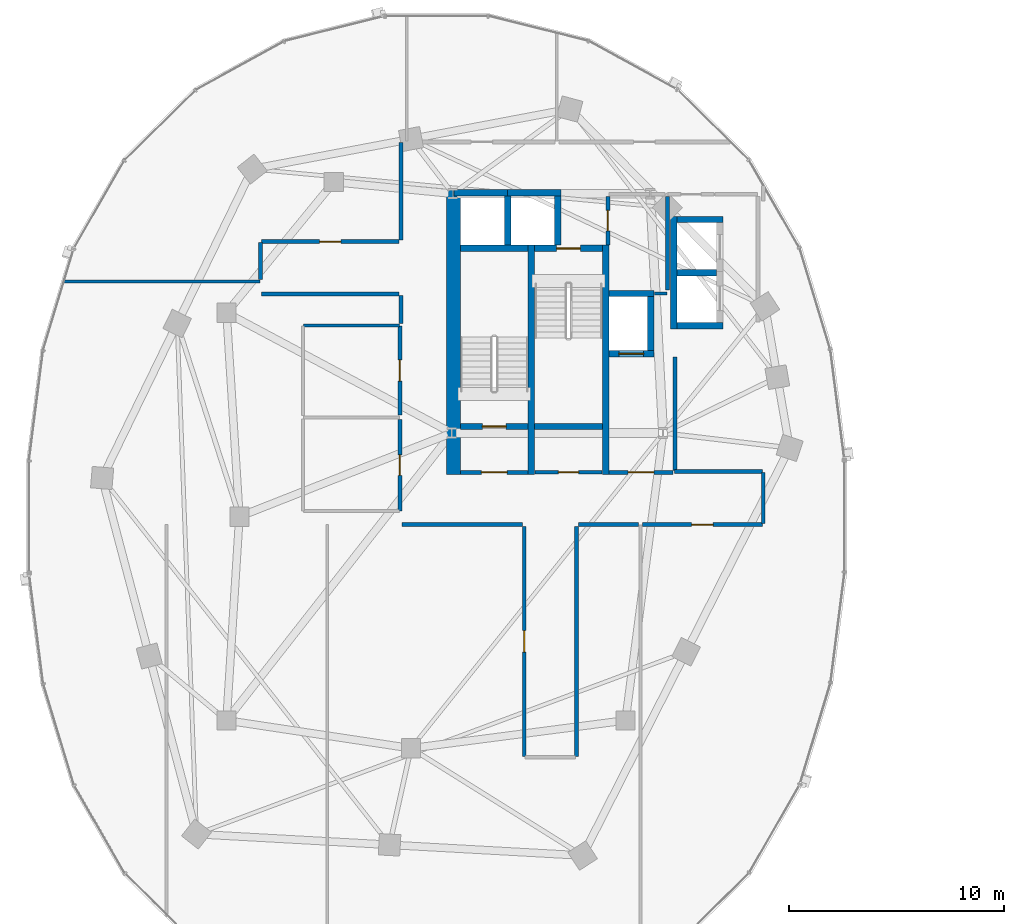
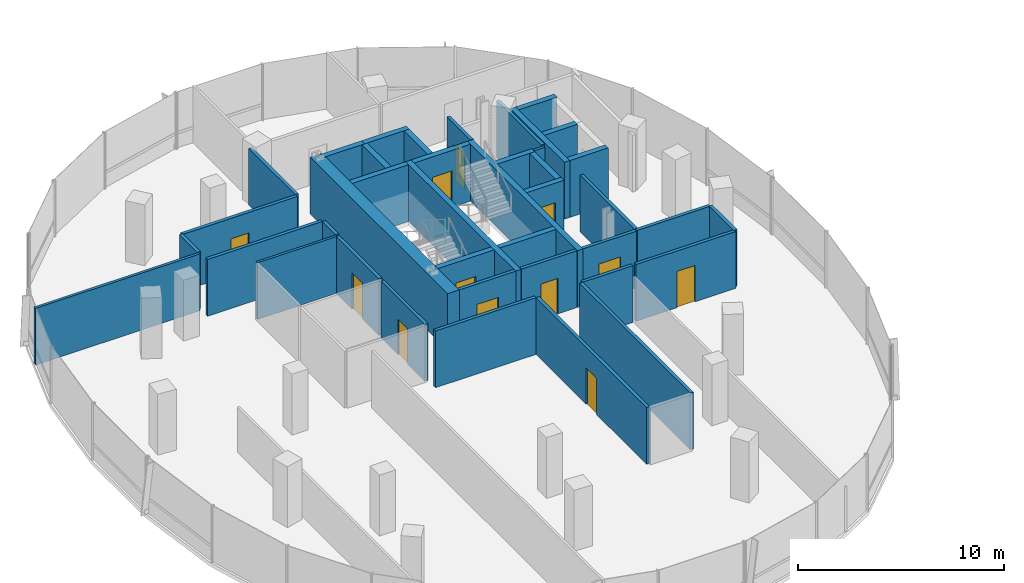
# One storey, part 12 of 22: 41 walls, 12 doors, 12 openings.
"""IFC4 building model written with IfcOpenShell, lengths in metres."""

from ifc_helpers import new_model, si_unit, direction, frame, frame_2d, origin, place, context, subcontext, project, spatial, rectangle, extrude, material, layer, layer_set, type_object, element, fill, save


model = new_model("IFC4")

# Units and contexts
model_context = context("Model", 3, precision=1e-05, world=origin(), true_north=direction((0.0, 1.0)))
body_context = subcontext(model_context, "Body", "Model", "MODEL_VIEW")
ifc_project = project(units=[si_unit("LENGTHUNIT", "METRE"), si_unit("AREAUNIT", "SQUARE_METRE"), si_unit("VOLUMEUNIT", "CUBIC_METRE"), si_unit("PLANEANGLEUNIT", "RADIAN"), si_unit("MASSUNIT", "GRAM", prefix="KILO"), si_unit("THERMODYNAMICTEMPERATUREUNIT", "KELVIN"), si_unit("POWERUNIT", "WATT")], contexts=[model_context])

# Site, building, storey
site_placement = place(None, origin())
site = spatial("IfcSite", under=ifc_project, at=site_placement, CompositionType="ELEMENT")
building_placement = place(site_placement, origin())
building = spatial("IfcBuilding", under=site, at=building_placement, Name="Cundina Bronze Exchange", CompositionType="ELEMENT")
storey_placement = place(building_placement, frame((0.0, 0.0, 144.0)))
storey = spatial("IfcBuildingStorey", under=building, at=storey_placement, Name="L37", CompositionType="ELEMENT", Elevation=144.0)

# Wall
ifc_material_1 = material(Name="Gypsum Fireboard Partition EI120")
ifc_layer_1 = layer(ifc_material_1, 0.179931640625, Name="Gypsum Fireboard Partition EI120")
ifc_layer_set_1 = layer_set([ifc_layer_1], Name="Gypsum Fireboard Partition EI120")
wall_type_1 = type_object("IfcWallType", Name="WL-COR-180", PredefinedType="PARTITIONING", material=ifc_layer_set_1)
wall_1_placement = place(storey_placement, frame((-20.889892578125, 2.14990234375, 0.0), z_axis=(0.0, 0.0, 1.0), x_axis=(0.0, 1.0, 0.0)))
element("IfcWall", 1, at=wall_1_placement, inside=storey, type_object=wall_type_1, Name="L37 W Firefighting Lobby Side Wall", PredefinedType="PARTITIONING", context=body_context, shape_type="SweptSolid", body=[
    extrude(rectangle(XDim=5.300048828125, YDim=0.179931640625, at=frame_2d((2.64990234375, 0.0))), origin(), (0.0, 0.0, 1.0), 3.360107421875),
])

# Wall, opening, door
wall_2_placement = place(storey_placement, frame((-23.97998046875, 2.06005859375, 0.0), z_axis=(0.0, 0.0, 1.0), x_axis=(1.0, 0.0, 0.0)))
wall_2 = element("IfcWall", 2, at=wall_2_placement, inside=storey, type_object=wall_type_1, Name="L37 W Firefighting Lobby Exit Wall", PredefinedType="PARTITIONING", context=body_context, shape_type="SweptSolid", body=[
    extrude(rectangle(XDim=3.0, YDim=0.179931640625, at=frame_2d((1.5, 0.0))), origin(), (0.0, 0.0, 1.0), 3.360107421875),
])
opening_1_placement = place(wall_2_placement, frame((0.89990234375, 0.0, 0.0)))
opening_1 = element("IfcOpeningElement", 3, at=opening_1_placement, cuts=wall_2, Name="Opening DF-01", PredefinedType="OPENING", context=body_context, shape_type="SweptSolid", body=[
    extrude(rectangle(XDim=1.199951171875, YDim=2.14990234375, at=frame_2d((0.60009765625, 1.074951171875))), frame((0.0, 0.099853515625, 0.0), z_axis=(0.0, -1.0, 0.0), x_axis=(1.0, 0.0, 0.0)), (0.0, 0.0, 1.0), 0.199951171875),
])
ifc_material_2 = material(Name="Steel ASTM A36 Painted", Category="steel")
door_type_1 = type_object("IfcDoorType", Name="DR-FFL-1200", OperationType="NOTDEFINED", PredefinedType="DOOR", material=ifc_material_2)
door_1_placement = place(opening_1_placement, origin())
door_1 = element("IfcDoor", 4, at=door_1_placement, inside=storey, type_object=door_type_1, Name="L37 W Firefighting Lobby Door", OperationType="SINGLE_SWING_RIGHT", OverallHeight=2.14990234375, OverallWidth=1.199951171875, PredefinedType="DOOR", context=body_context, shape_type="SweptSolid", body=[
    extrude(rectangle(XDim=1.199951171875, YDim=2.14990234375, at=frame_2d((0.60009765625, 1.074951171875))), frame((0.0, 0.02490234375, 0.0), z_axis=(0.0, -1.0, 0.0), x_axis=(1.0, 0.0, 0.0)), (0.0, 0.0, 1.0), 0.050048828125),
])
fill(opening_1, door_1)

wall_3_placement = place(storey_placement, frame((-30.89990234375, 2.06005859375, 0.0), z_axis=(0.0, 0.0, 1.0), x_axis=(1.0, 0.0, 0.0)))
wall_3 = element("IfcWall", 5, at=wall_3_placement, inside=storey, type_object=wall_type_1, Name="L37 W Stair Vestibule Exit Wall", PredefinedType="PARTITIONING", context=body_context, shape_type="SweptSolid", body=[
    extrude(rectangle(XDim=3.159912109375, YDim=0.179931640625, at=frame_2d((1.580078125, 0.0))), origin(), (0.0, 0.0, 1.0), 3.360107421875),
])
opening_2_placement = place(wall_3_placement, frame((0.97998046875, 0.0, 0.0)))
opening_2 = element("IfcOpeningElement", 6, at=opening_2_placement, cuts=wall_3, Name="Opening DF-01", PredefinedType="OPENING", context=body_context, shape_type="SweptSolid", body=[
    extrude(rectangle(XDim=1.199951171875, YDim=2.14990234375, at=frame_2d((0.60009765625, 1.074951171875))), frame((0.0, 0.099853515625, 0.0), z_axis=(0.0, -1.0, 0.0), x_axis=(1.0, 0.0, 0.0)), (0.0, 0.0, 1.0), 0.199951171875),
])
door_2_placement = place(opening_2_placement, origin())
door_2 = element("IfcDoor", 7, at=door_2_placement, inside=storey, type_object=door_type_1, Name="L37 W Stair Vestibule Door", OperationType="SINGLE_SWING_LEFT", OverallHeight=2.14990234375, OverallWidth=1.199951171875, PredefinedType="DOOR", context=body_context, shape_type="SweptSolid", body=[
    extrude(rectangle(XDim=1.199951171875, YDim=2.14990234375, at=frame_2d((0.60009765625, 1.074951171875))), frame((0.0, 0.02490234375, 0.0), z_axis=(0.0, -1.0, 0.0), x_axis=(1.0, 0.0, 0.0)), (0.0, 0.0, 1.0), 0.050048828125),
])
fill(opening_2, door_2)

# Wall
wall_4_placement = place(storey_placement, frame((-21.25, 10.570068359375, 0.0), z_axis=(0.0, 0.0, 1.0), x_axis=(0.0, 1.0, 0.0)))
element("IfcWall", 8, at=wall_4_placement, inside=storey, type_object=wall_type_1, Name="L37 Interior Partition 005", PredefinedType="PARTITIONING", context=body_context, shape_type="SweptSolid", body=[
    extrude(rectangle(XDim=4.35986328125, YDim=0.179931640625, at=frame_2d((2.179931640625, 0.0))), origin(), (0.0, 0.0, 1.0), 3.360107421875),
])

# Wall, opening, door
wall_5_placement = place(storey_placement, frame((-27.419921875, 2.070068359375, 0.0), z_axis=(0.0, 0.0, 1.0), x_axis=(1.0, 0.0, 0.0)))
wall_5 = element("IfcWall", 9, at=wall_5_placement, inside=storey, type_object=wall_type_1, Name="L37 Interior Partition 007", PredefinedType="PARTITIONING", context=body_context, shape_type="SweptSolid", body=[
    extrude(rectangle(XDim=3.119873046875, YDim=0.179931640625, at=frame_2d((1.56005859375, 0.0))), origin(), (0.0, 0.0, 1.0), 3.360107421875),
])
opening_3_placement = place(wall_5_placement, frame((1.0849609375, 0.0, 0.0)))
opening_3 = element("IfcOpeningElement", 10, at=opening_3_placement, cuts=wall_5, Name="Opening DW-01", PredefinedType="OPENING", context=body_context, shape_type="SweptSolid", body=[
    extrude(rectangle(XDim=0.949951171875, YDim=2.10009765625, at=frame_2d((0.47509765625, 1.050048828125))), frame((0.0, 0.099853515625, 0.0), z_axis=(0.0, -1.0, 0.0), x_axis=(1.0, 0.0, 0.0)), (0.0, 0.0, 1.0), 0.199951171875),
])
ifc_material_3 = material(Name="Solid Andean Oak Timber Grade A", Category="wood")
door_type_2 = type_object("IfcDoorType", Name="DR-WC-950", OperationType="NOTDEFINED", PredefinedType="DOOR", material=ifc_material_3)
door_3_placement = place(opening_3_placement, origin())
door_3 = element("IfcDoor", 11, at=door_3_placement, inside=storey, type_object=door_type_2, Name="L37 Interior Door 007", OperationType="SINGLE_SWING_RIGHT", OverallHeight=2.10009765625, OverallWidth=0.949951171875, PredefinedType="DOOR", context=body_context, shape_type="SweptSolid", body=[
    extrude(rectangle(XDim=0.949951171875, YDim=2.10009765625, at=frame_2d((0.47509765625, 1.050048828125))), frame((0.0, 0.02490234375, 0.0), z_axis=(0.0, -1.0, 0.0), x_axis=(1.0, 0.0, 0.0)), (0.0, 0.0, 1.0), 0.050048828125),
])
fill(opening_3, door_3)

wall_6_placement = place(storey_placement, frame((-24.02001953125, 12.669921875, 0.0), z_axis=(0.0, 0.0, 1.0), x_axis=(0.0, 1.0, 0.0)))
wall_6 = element("IfcWall", 12, at=wall_6_placement, inside=storey, type_object=wall_type_1, Name="L37 Interior Partition 008", PredefinedType="PARTITIONING", context=body_context, shape_type="SweptSolid", body=[
    extrude(rectangle(XDim=2.260009765625, YDim=0.179931640625, at=frame_2d((1.1298828125, 0.0))), origin(), (0.0, 0.0, 1.0), 3.360107421875),
])
opening_4_placement = place(wall_6_placement, frame((0.655029296875, 0.0, 0.0)))
opening_4 = element("IfcOpeningElement", 13, at=opening_4_placement, cuts=wall_6, Name="Opening DW-01", PredefinedType="OPENING", context=body_context, shape_type="SweptSolid", body=[
    extrude(rectangle(XDim=0.949951171875, YDim=2.10009765625, at=frame_2d((0.47509765625, 1.050048828125))), frame((0.0, 0.099853515625, 0.0), z_axis=(0.0, -1.0, 0.0), x_axis=(1.0, 0.0, 0.0)), (0.0, 0.0, 1.0), 0.199951171875),
])
door_4_placement = place(opening_4_placement, origin())
door_4 = element("IfcDoor", 14, at=door_4_placement, inside=storey, type_object=door_type_2, Name="L37 Interior Door 008", OperationType="SINGLE_SWING_RIGHT", OverallHeight=2.10009765625, OverallWidth=0.949951171875, PredefinedType="DOOR", context=body_context, shape_type="SweptSolid", body=[
    extrude(rectangle(XDim=0.949951171875, YDim=2.10009765625, at=frame_2d((0.47509765625, 1.050048828125))), frame((0.0, 0.02490234375, 0.0), z_axis=(0.0, -1.0, 0.0), x_axis=(1.0, 0.0, 0.0)), (0.0, 0.0, 1.0), 0.050048828125),
])
fill(opening_4, door_4)

wall_7_placement = place(storey_placement, frame((-33.719970703125, 0.27001953125, 0.0), z_axis=(0.0, 0.0, 1.0), x_axis=(0.0, 1.0, 0.0)))
wall_7 = element("IfcWall", 15, at=wall_7_placement, inside=storey, type_object=wall_type_1, Name="L37 Interior Partition 014", PredefinedType="PARTITIONING", context=body_context, shape_type="SweptSolid", body=[
    extrude(rectangle(XDim=4.260009765625, YDim=0.179931640625, at=frame_2d((2.1298828125, 0.0))), origin(), (0.0, 0.0, 1.0), 3.360107421875),
])
opening_5_placement = place(wall_7_placement, frame((1.655029296875, 0.0, 0.0)))
opening_5 = element("IfcOpeningElement", 16, at=opening_5_placement, cuts=wall_7, Name="Opening DW-01", PredefinedType="OPENING", context=body_context, shape_type="SweptSolid", body=[
    extrude(rectangle(XDim=0.949951171875, YDim=2.10009765625, at=frame_2d((0.47509765625, 1.050048828125))), frame((0.0, 0.099853515625, 0.0), z_axis=(0.0, -1.0, 0.0), x_axis=(1.0, 0.0, 0.0)), (0.0, 0.0, 1.0), 0.199951171875),
])
door_5_placement = place(opening_5_placement, origin())
door_5 = element("IfcDoor", 17, at=door_5_placement, inside=storey, type_object=door_type_2, Name="L37 Interior Door 014", OperationType="SINGLE_SWING_LEFT", OverallHeight=2.10009765625, OverallWidth=0.949951171875, PredefinedType="DOOR", context=body_context, shape_type="SweptSolid", body=[
    extrude(rectangle(XDim=0.949951171875, YDim=2.10009765625, at=frame_2d((0.47509765625, 1.050048828125))), frame((0.0, 0.02490234375, 0.0), z_axis=(0.0, -1.0, 0.0), x_axis=(1.0, 0.0, 0.0)), (0.0, 0.0, 1.0), 0.050048828125),
])
fill(opening_5, door_5)

wall_8_placement = place(storey_placement, frame((-33.719970703125, 4.72998046875, 0.0), z_axis=(0.0, 0.0, 1.0), x_axis=(0.0, 1.0, 0.0)))
wall_8 = element("IfcWall", 18, at=wall_8_placement, inside=storey, type_object=wall_type_1, Name="L37 Interior Partition 015", PredefinedType="PARTITIONING", context=body_context, shape_type="SweptSolid", body=[
    extrude(rectangle(XDim=4.159912109375, YDim=0.179931640625, at=frame_2d((2.080078125, 0.0))), origin(), (0.0, 0.0, 1.0), 3.360107421875),
])
opening_6_placement = place(wall_8_placement, frame((1.580078125, 0.0, 0.0)))
opening_6 = element("IfcOpeningElement", 19, at=opening_6_placement, cuts=wall_8, Name="Opening DO-01", PredefinedType="OPENING", context=body_context, shape_type="SweptSolid", body=[
    extrude(rectangle(XDim=1.0, YDim=2.14990234375, at=frame_2d((0.5, 1.074951171875))), frame((0.0, 0.099853515625, 0.0), z_axis=(0.0, -1.0, 0.0), x_axis=(1.0, 0.0, 0.0)), (0.0, 0.0, 1.0), 0.199951171875),
])
door_type_3 = type_object("IfcDoorType", Name="DR-OFF-1000", OperationType="NOTDEFINED", PredefinedType="DOOR", material=ifc_material_3)
door_6_placement = place(opening_6_placement, origin())
door_6 = element("IfcDoor", 20, at=door_6_placement, inside=storey, type_object=door_type_3, Name="L37 Interior Door 015", OperationType="SINGLE_SWING_LEFT", OverallHeight=2.14990234375, OverallWidth=1.0, PredefinedType="DOOR", context=body_context, shape_type="SweptSolid", body=[
    extrude(rectangle(XDim=1.0, YDim=2.14990234375, at=frame_2d((0.5, 1.074951171875))), frame((0.0, 0.02490234375, 0.0), z_axis=(0.0, -1.0, 0.0), x_axis=(1.0, 0.0, 0.0)), (0.0, 0.0, 1.0), 0.050048828125),
])
fill(opening_6, door_6)

wall_9_placement = place(storey_placement, frame((-27.919921875, -0.449951171875, 0.0), z_axis=(0.0, 0.0, 1.0), x_axis=(0.0, -1.0, 0.0)))
wall_9 = element("IfcWall", 21, at=wall_9_placement, inside=storey, type_object=wall_type_1, Name="L37 Interior Partition 022", PredefinedType="PARTITIONING", context=body_context, shape_type="SweptSolid", body=[
    extrude(rectangle(XDim=10.728515625, YDim=0.179931640625, at=frame_2d((5.3642578125, 0.0))), origin(), (0.0, 0.0, 1.0), 3.360107421875),
])
opening_7_placement = place(wall_9_placement, frame((4.8642578125, 0.0, 0.0)))
opening_7 = element("IfcOpeningElement", 22, at=opening_7_placement, cuts=wall_9, Name="Opening DO-01", PredefinedType="OPENING", context=body_context, shape_type="SweptSolid", body=[
    extrude(rectangle(XDim=1.0, YDim=2.14990234375, at=frame_2d((0.5, 1.074951171875))), frame((0.0, 0.099853515625, 0.0), z_axis=(0.0, -1.0, 0.0), x_axis=(1.0, 0.0, 0.0)), (0.0, 0.0, 1.0), 0.199951171875),
])
door_7_placement = place(opening_7_placement, origin())
door_7 = element("IfcDoor", 23, at=door_7_placement, inside=storey, type_object=door_type_3, Name="L37 Interior Door 022", OperationType="SINGLE_SWING_RIGHT", OverallHeight=2.14990234375, OverallWidth=1.0, PredefinedType="DOOR", context=body_context, shape_type="SweptSolid", body=[
    extrude(rectangle(XDim=1.0, YDim=2.14990234375, at=frame_2d((0.5, 1.074951171875))), frame((0.0, 0.02490234375, 0.0), z_axis=(0.0, -1.0, 0.0), x_axis=(1.0, 0.0, 0.0)), (0.0, 0.0, 1.0), 0.050048828125),
])
fill(opening_7, door_7)

# Walls
wall_10_placement = place(storey_placement, frame((-25.47998046875, -11.178466796875, 0.0), z_axis=(0.0, 0.0, 1.0), x_axis=(0.0, 1.0, 0.0)))
element("IfcWall", 24, at=wall_10_placement, inside=storey, type_object=wall_type_1, Name="L37 Interior Partition 023", PredefinedType="PARTITIONING", context=body_context, shape_type="SweptSolid", body=[
    extrude(rectangle(XDim=10.728515625, YDim=0.179931640625, at=frame_2d((5.3642578125, 0.0))), origin(), (0.0, 0.0, 1.0), 3.360107421875),
])
wall_11_placement = place(storey_placement, frame((-40.178466796875, 10.3798828125, 0.0), z_axis=(0.0, 0.0, 1.0), x_axis=(1.0, 0.0, 0.0)))
element("IfcWall", 25, at=wall_11_placement, inside=storey, type_object=wall_type_1, Name="L37 Interior Partition 024", PredefinedType="PARTITIONING", context=body_context, shape_type="SweptSolid", body=[
    extrude(rectangle(XDim=6.428466796875, YDim=0.179931640625, at=frame_2d((3.21435546875, 0.0))), origin(), (0.0, 0.0, 1.0), 3.360107421875),
])
wall_12_placement = place(storey_placement, frame((-33.62841796875, -0.3701171875, 0.0), z_axis=(0.0, 0.0, 1.0), x_axis=(1.0, 0.0, 0.0)))
element("IfcWall", 26, at=wall_12_placement, inside=storey, type_object=wall_type_1, Name="L37 Interior Partition 025", PredefinedType="PARTITIONING", context=body_context, shape_type="SweptSolid", body=[
    extrude(rectangle(XDim=5.62841796875, YDim=0.179931640625, at=frame_2d((2.814208984375, 0.0))), origin(), (0.0, 0.0, 1.0), 3.360107421875),
])
wall_13_placement = place(storey_placement, frame((-25.39990234375, -0.3701171875, 0.0), z_axis=(0.0, 0.0, 1.0), x_axis=(1.0, 0.0, 0.0)))
element("IfcWall", 27, at=wall_13_placement, inside=storey, type_object=wall_type_1, Name="L37 Interior Partition 026", PredefinedType="PARTITIONING", context=body_context, shape_type="SweptSolid", body=[
    extrude(rectangle(XDim=2.809814453125, YDim=0.179931640625, at=frame_2d((1.40478515625, 0.0))), origin(), (0.0, 0.0, 1.0), 3.360107421875),
])
wall_14_placement = place(storey_placement, frame((-33.669921875, 10.300048828125, 0.0), z_axis=(0.0, 0.0, 1.0), x_axis=(0.0, -1.0, 0.0)))
element("IfcWall", 28, at=wall_14_placement, inside=storey, type_object=wall_type_1, Name="L37 Interior Partition 028", PredefinedType="PARTITIONING", context=body_context, shape_type="SweptSolid", body=[
    extrude(rectangle(XDim=1.298583984375, YDim=0.179931640625, at=frame_2d((0.6494140625, 0.0))), origin(), (0.0, 0.0, 1.0), 3.360107421875),
])

# Wall, opening, door
wall_15_placement = place(storey_placement, frame((-22.409912109375, -0.3701171875, 0.0), z_axis=(0.0, 0.0, 1.0), x_axis=(1.0, 0.0, 0.0)))
wall_15 = element("IfcWall", 29, at=wall_15_placement, inside=storey, type_object=wall_type_1, Name="L37 Interior Partition 029", PredefinedType="PARTITIONING", context=body_context, shape_type="SweptSolid", body=[
    extrude(rectangle(XDim=5.58837890625, YDim=0.179931640625, at=frame_2d((2.794189453125, 0.0))), origin(), (0.0, 0.0, 1.0), 3.360107421875),
])
opening_8_placement = place(wall_15_placement, frame((2.294189453125, 0.0, 0.0)))
opening_8 = element("IfcOpeningElement", 30, at=opening_8_placement, cuts=wall_15, Name="Opening DO-01", PredefinedType="OPENING", context=body_context, shape_type="SweptSolid", body=[
    extrude(rectangle(XDim=1.0, YDim=2.14990234375, at=frame_2d((0.5, 1.074951171875))), frame((0.0, 0.099853515625, 0.0), z_axis=(0.0, -1.0, 0.0), x_axis=(1.0, 0.0, 0.0)), (0.0, 0.0, 1.0), 0.199951171875),
])
door_8_placement = place(opening_8_placement, origin())
door_8 = element("IfcDoor", 31, at=door_8_placement, inside=storey, type_object=door_type_3, Name="L37 Interior Door 029", OperationType="SINGLE_SWING_RIGHT", OverallHeight=2.14990234375, OverallWidth=1.0, PredefinedType="DOOR", context=body_context, shape_type="SweptSolid", body=[
    extrude(rectangle(XDim=1.0, YDim=2.14990234375, at=frame_2d((0.5, 1.074951171875))), frame((0.0, 0.02490234375, 0.0), z_axis=(0.0, -1.0, 0.0), x_axis=(1.0, 0.0, 0.0)), (0.0, 0.0, 1.0), 0.050048828125),
])
fill(opening_8, door_8)

# Walls
wall_16_placement = place(storey_placement, frame((-16.821533203125, 2.10009765625, 0.0), z_axis=(0.0, 0.0, 1.0), x_axis=(-1.0, 0.0, 0.0)))
element("IfcWall", 32, at=wall_16_placement, inside=storey, type_object=wall_type_1, Name="L37 Interior Partition 030", PredefinedType="PARTITIONING", context=body_context, shape_type="SweptSolid", body=[
    extrude(rectangle(XDim=4.098388671875, YDim=0.179931640625, at=frame_2d((2.04931640625, 0.0))), origin(), (0.0, 0.0, 1.0), 3.360107421875),
])
wall_17_placement = place(storey_placement, frame((-16.780029296875, -0.32861328125, 0.0), z_axis=(0.0, 0.0, 1.0), x_axis=(0.0, 1.0, 0.0)))
element("IfcWall", 33, at=wall_17_placement, inside=storey, type_object=wall_type_1, Name="L37 Interior Partition 031", PredefinedType="PARTITIONING", context=body_context, shape_type="SweptSolid", body=[
    extrude(rectangle(XDim=2.38720703125, YDim=0.179931640625, at=frame_2d((1.193603515625, 0.0))), origin(), (0.0, 0.0, 1.0), 3.360107421875),
])

# Wall, opening, door
wall_18_placement = place(storey_placement, frame((-33.75, 12.820068359375, 0.0), z_axis=(0.0, 0.0, 1.0), x_axis=(-1.0, 0.0, 0.0)))
wall_18 = element("IfcWall", 34, at=wall_18_placement, inside=storey, type_object=wall_type_1, Name="L37 Interior Partition 033", PredefinedType="PARTITIONING", context=body_context, shape_type="SweptSolid", body=[
    extrude(rectangle(XDim=6.428466796875, YDim=0.179931640625, at=frame_2d((3.21435546875, 0.0))), origin(), (0.0, 0.0, 1.0), 3.360107421875),
])
opening_9_placement = place(wall_18_placement, frame((2.714111328125, 0.0, 0.0)))
opening_9 = element("IfcOpeningElement", 35, at=opening_9_placement, cuts=wall_18, Name="Opening DO-01", PredefinedType="OPENING", context=body_context, shape_type="SweptSolid", body=[
    extrude(rectangle(XDim=1.0, YDim=2.14990234375, at=frame_2d((0.5, 1.074951171875))), frame((0.0, 0.099853515625, 0.0), z_axis=(0.0, -1.0, 0.0), x_axis=(1.0, 0.0, 0.0)), (0.0, 0.0, 1.0), 0.199951171875),
])
door_9_placement = place(opening_9_placement, origin())
door_9 = element("IfcDoor", 36, at=door_9_placement, inside=storey, type_object=door_type_3, Name="L37 Interior Door 033", OperationType="SINGLE_SWING_LEFT", OverallHeight=2.14990234375, OverallWidth=1.0, PredefinedType="DOOR", context=body_context, shape_type="SweptSolid", body=[
    extrude(rectangle(XDim=1.0, YDim=2.14990234375, at=frame_2d((0.5, 1.074951171875))), frame((0.0, 0.02490234375, 0.0), z_axis=(0.0, -1.0, 0.0), x_axis=(1.0, 0.0, 0.0)), (0.0, 0.0, 1.0), 0.050048828125),
])
fill(opening_9, door_9)

# Walls
wall_19_placement = place(storey_placement, frame((-33.669921875, 17.428466796875, 0.0), z_axis=(0.0, 0.0, 1.0), x_axis=(0.0, -1.0, 0.0)))
element("IfcWall", 37, at=wall_19_placement, inside=storey, type_object=wall_type_1, Name="L37 Interior Partition 034", PredefinedType="PARTITIONING", context=body_context, shape_type="SweptSolid", body=[
    extrude(rectangle(XDim=4.528564453125, YDim=0.179931640625, at=frame_2d((2.26416015625, 0.0))), origin(), (0.0, 0.0, 1.0), 3.360107421875),
])
wall_20_placement = place(storey_placement, frame((-40.219970703125, 12.778564453125, 0.0), z_axis=(0.0, 0.0, 1.0), x_axis=(0.0, -1.0, 0.0)))
element("IfcWall", 38, at=wall_20_placement, inside=storey, type_object=wall_type_1, Name="L37 Interior Partition 035", PredefinedType="PARTITIONING", context=body_context, shape_type="SweptSolid", body=[
    extrude(rectangle(XDim=1.728515625, YDim=0.179931640625, at=frame_2d((0.8642578125, 0.0))), origin(), (0.0, 0.0, 1.0), 3.360107421875),
])
ifc_material_4 = material(Name="Concrete C50/60", Category="concrete")
ifc_layer_2 = layer(ifc_material_4, 0.64990234375, Name="Concrete C50/60", Category="concrete")
ifc_layer_set_2 = layer_set([ifc_layer_2], Name="Concrete C50/60")
wall_type_2 = type_object("IfcWallType", Name="WL-CORE-650", PredefinedType="SHEAR", material=ifc_layer_set_2)
wall_21_placement = place(storey_placement, frame((-31.22509765625, 1.969970703125, 0.0), z_axis=(0.0, 0.0, 1.0), x_axis=(0.0, 1.0, 0.0)))
element("IfcWall", 39, at=wall_21_placement, inside=storey, type_object=wall_type_2, Name="L37 W Primary Core Shear Spine Wall", PredefinedType="SHEAR", context=body_context, shape_type="SweptSolid", body=[
    extrude(rectangle(XDim=13.330078125, YDim=0.64990234375, at=frame_2d((6.6650390625, 0.0))), origin(), (0.0, 0.0, 1.0), 3.360107421875),
])
ifc_layer_3 = layer(ifc_material_4, 0.300048828125, Name="Concrete C50/60", Category="concrete")
ifc_layer_set_3 = layer_set([ifc_layer_3], Name="Concrete C50/60")
wall_type_3 = type_object("IfcWallType", Name="WL-SHFT-300", PredefinedType="SHEAR", material=ifc_layer_set_3)
for number, where, z_axis, x_axis, name in (
    (40, (-27.590087890625, 1.969970703125, 0.0), (0.0, 0.0, 1.0), (0.0, 1.0, 0.0), "L37 W Stair Shaft Dividing Shear Wall"),
    (41, (-24.1298828125, 1.969970703125, 0.0), (0.0, 0.0, 1.0), (0.0, 1.0, 0.0), "L37 W Stair 2 East Shear Wall"),
):
    element("IfcWall", number, at=place(storey_placement, frame(where, z_axis=z_axis, x_axis=x_axis)), inside=storey, type_object=wall_type_3, Name=name, PredefinedType="SHEAR", context=body_context, shape_type="SweptSolid", body=[
        extrude(rectangle(XDim=10.679931640625, YDim=0.300048828125, at=frame_2d((5.33984375, 0.0))), origin(), (0.0, 0.0, 1.0), 3.360107421875),
    ])

# Wall, opening, door
wall_22_placement = place(storey_placement, frame((-30.89990234375, 4.199951171875, 0.0), z_axis=(0.0, 0.0, 1.0), x_axis=(1.0, 0.0, 0.0)))
wall_22 = element("IfcWall", 42, at=wall_22_placement, inside=storey, type_object=wall_type_3, Name="L37 Stair W1 Landing Wall", PredefinedType="SHEAR", context=body_context, shape_type="SweptSolid", body=[
    extrude(rectangle(XDim=3.159912109375, YDim=0.300048828125, at=frame_2d((1.580078125, 0.0))), origin(), (0.0, 0.0, 1.0), 3.360107421875),
])
opening_10_placement = place(wall_22_placement, frame((1.030029296875, 0.0, 0.0)))
opening_10 = element("IfcOpeningElement", 43, at=opening_10_placement, cuts=wall_22, Name="Opening DS-01", PredefinedType="OPENING", context=body_context, shape_type="SweptSolid", body=[
    extrude(rectangle(XDim=1.10009765625, YDim=2.14990234375, at=frame_2d((0.550048828125, 1.074951171875))), frame((0.0, 0.159912109375, 0.0), z_axis=(0.0, -1.0, 0.0), x_axis=(1.0, 0.0, 0.0)), (0.0, 0.0, 1.0), 0.320068359375),
])
door_type_4 = type_object("IfcDoorType", Name="DR-STR-1100", OperationType="NOTDEFINED", PredefinedType="DOOR", material=ifc_material_2)
door_10_placement = place(opening_10_placement, origin())
door_10 = element("IfcDoor", 44, at=door_10_placement, inside=storey, type_object=door_type_4, Name="L37 Smokeproof Stair W1 Door", OperationType="SINGLE_SWING_RIGHT", OverallHeight=2.14990234375, OverallWidth=1.10009765625, PredefinedType="DOOR", context=body_context, shape_type="SweptSolid", body=[
    extrude(rectangle(XDim=1.10009765625, YDim=2.14990234375, at=frame_2d((0.550048828125, 1.074951171875))), frame((0.0, 0.02490234375, 0.0), z_axis=(0.0, -1.0, 0.0), x_axis=(1.0, 0.0, 0.0)), (0.0, 0.0, 1.0), 0.050048828125),
])
fill(opening_10, door_10)

# Wall
wall_23_placement = place(storey_placement, frame((-30.89990234375, 12.5, 0.0), z_axis=(0.0, 0.0, 1.0), x_axis=(1.0, 0.0, 0.0)))
element("IfcWall", 45, at=wall_23_placement, inside=storey, type_object=wall_type_3, Name="L37 Stair W1 Far Shaft Wall", PredefinedType="SHEAR", context=body_context, shape_type="SweptSolid", body=[
    extrude(rectangle(XDim=3.159912109375, YDim=0.300048828125, at=frame_2d((1.580078125, 0.0))), origin(), (0.0, 0.0, 1.0), 3.360107421875),
])

# Wall, opening, door
wall_24_placement = place(storey_placement, frame((-27.43994140625, 12.5, 0.0), z_axis=(0.0, 0.0, 1.0), x_axis=(1.0, 0.0, 0.0)))
wall_24 = element("IfcWall", 46, at=wall_24_placement, inside=storey, type_object=wall_type_3, Name="L37 Stair W2 Landing Wall", PredefinedType="SHEAR", context=body_context, shape_type="SweptSolid", body=[
    extrude(rectangle(XDim=3.159912109375, YDim=0.300048828125, at=frame_2d((1.580078125, 0.0))), origin(), (0.0, 0.0, 1.0), 3.360107421875),
])
opening_11_placement = place(wall_24_placement, frame((1.030029296875, 0.0, 0.0)))
opening_11 = element("IfcOpeningElement", 47, at=opening_11_placement, cuts=wall_24, Name="Opening DS-01", PredefinedType="OPENING", context=body_context, shape_type="SweptSolid", body=[
    extrude(rectangle(XDim=1.10009765625, YDim=2.14990234375, at=frame_2d((0.550048828125, 1.074951171875))), frame((0.0, 0.159912109375, 0.0), z_axis=(0.0, -1.0, 0.0), x_axis=(1.0, 0.0, 0.0)), (0.0, 0.0, 1.0), 0.320068359375),
])
door_11_placement = place(opening_11_placement, origin())
door_11 = element("IfcDoor", 48, at=door_11_placement, inside=storey, type_object=door_type_4, Name="L37 Smokeproof Stair W2 Door", OperationType="SINGLE_SWING_LEFT", OverallHeight=2.14990234375, OverallWidth=1.10009765625, PredefinedType="DOOR", context=body_context, shape_type="SweptSolid", body=[
    extrude(rectangle(XDim=1.10009765625, YDim=2.14990234375, at=frame_2d((0.550048828125, 1.074951171875))), frame((0.0, 0.02490234375, 0.0), z_axis=(0.0, -1.0, 0.0), x_axis=(1.0, 0.0, 0.0)), (0.0, 0.0, 1.0), 0.050048828125),
])
fill(opening_11, door_11)

# Wall
wall_25_placement = place(storey_placement, frame((-27.43994140625, 4.199951171875, 0.0), z_axis=(0.0, 0.0, 1.0), x_axis=(1.0, 0.0, 0.0)))
element("IfcWall", 49, at=wall_25_placement, inside=storey, type_object=wall_type_3, Name="L37 Stair W2 Far Shaft Wall", PredefinedType="SHEAR", context=body_context, shape_type="SweptSolid", body=[
    extrude(rectangle(XDim=3.159912109375, YDim=0.300048828125, at=frame_2d((1.580078125, 0.0))), origin(), (0.0, 0.0, 1.0), 3.360107421875),
])

# Wall, opening, door
wall_26_placement = place(storey_placement, frame((-23.97998046875, 7.60009765625, 0.0), z_axis=(0.0, 0.0, 1.0), x_axis=(1.0, 0.0, 0.0)))
wall_26 = element("IfcWall", 50, at=wall_26_placement, inside=storey, type_object=wall_type_3, Name="L37 FFL-W Hoistway Front Wall", PredefinedType="SHEAR", context=body_context, shape_type="SweptSolid", body=[
    extrude(rectangle(XDim=2.10009765625, YDim=0.300048828125, at=frame_2d((1.050048828125, 0.0))), origin(), (0.0, 0.0, 1.0), 3.360107421875),
])
opening_12_placement = place(wall_26_placement, frame((0.47509765625, 0.0, 0.0)))
opening_12 = element("IfcOpeningElement", 51, at=opening_12_placement, cuts=wall_26, Name="Opening LD-01", PredefinedType="OPENING", context=body_context, shape_type="SweptSolid", body=[
    extrude(rectangle(XDim=1.14990234375, YDim=2.199951171875, at=frame_2d((0.574951171875, 1.10009765625))), frame((0.0, 0.159912109375, 0.0), z_axis=(0.0, -1.0, 0.0), x_axis=(1.0, 0.0, 0.0)), (0.0, 0.0, 1.0), 0.320068359375),
])
door_type_5 = type_object("IfcDoorType", Name="DR-LND-1150", OperationType="NOTDEFINED", PredefinedType="TRAPDOOR", material=ifc_material_2)
door_12_placement = place(opening_12_placement, origin())
door_12 = element("IfcDoor", 52, at=door_12_placement, inside=storey, type_object=door_type_5, Name="L37 FFL-W Sliding Landing Door", OperationType="SLIDING_TO_LEFT", OverallHeight=2.199951171875, OverallWidth=1.14990234375, PredefinedType="TRAPDOOR", context=body_context, shape_type="SweptSolid", body=[
    extrude(rectangle(XDim=1.14990234375, YDim=2.199951171875, at=frame_2d((0.574951171875, 1.10009765625))), frame((0.0, 0.02490234375, 0.0), z_axis=(0.0, -1.0, 0.0), x_axis=(1.0, 0.0, 0.0)), (0.0, 0.0, 1.0), 0.050048828125),
])
fill(opening_12, door_12)

# Walls
wall_27_placement = place(storey_placement, frame((-23.97998046875, 10.39990234375, 0.0), z_axis=(0.0, 0.0, 1.0), x_axis=(1.0, 0.0, 0.0)))
element("IfcWall", 53, at=wall_27_placement, inside=storey, type_object=wall_type_3, Name="L37 FFL-W Hoistway Back Wall", PredefinedType="SHEAR", context=body_context, shape_type="SweptSolid", body=[
    extrude(rectangle(XDim=2.10009765625, YDim=0.300048828125, at=frame_2d((1.050048828125, 0.0))), origin(), (0.0, 0.0, 1.0), 3.360107421875),
])
for number, where, z_axis, x_axis, name in (
    (54, (-22.030029296875, 7.75, 0.0), (0.0, 0.0, 1.0), (0.0, 1.0, 0.0), "L37 FFL-W Hoistway Side Wall"),
    (55, (-31.199951171875, 15.10009765625, 0.0), (0.0, 0.0, 1.0), (1.0, 0.0, 0.0), "L37 PH-W1 Hoistway Front Wall"),
):
    element("IfcWall", number, at=place(storey_placement, frame(where, z_axis=z_axis, x_axis=x_axis)), inside=storey, type_object=wall_type_3, Name=name, PredefinedType="SHEAR", context=body_context, shape_type="SweptSolid", body=[
        extrude(rectangle(XDim=2.5, YDim=0.300048828125, at=frame_2d((1.25, 0.0))), origin(), (0.0, 0.0, 1.0), 3.360107421875),
    ])
wall_28_placement = place(storey_placement, frame((-28.699951171875, 12.64990234375, 0.0), z_axis=(0.0, 0.0, 1.0), x_axis=(0.0, 1.0, 0.0)))
element("IfcWall", 56, at=wall_28_placement, inside=storey, type_object=wall_type_3, Name="L37 PH-W1 Hoistway Divider Wall", PredefinedType="SHEAR", context=body_context, shape_type="SweptSolid", body=[
    extrude(rectangle(XDim=2.300048828125, YDim=0.300048828125, at=frame_2d((1.14990234375, 0.0))), origin(), (0.0, 0.0, 1.0), 3.360107421875),
])
wall_29_placement = place(storey_placement, frame((-28.699951171875, 15.10009765625, 0.0), z_axis=(0.0, 0.0, 1.0), x_axis=(1.0, 0.0, 0.0)))
element("IfcWall", 57, at=wall_29_placement, inside=storey, type_object=wall_type_3, Name="L37 PH-W2 Hoistway Front Wall", PredefinedType="SHEAR", context=body_context, shape_type="SweptSolid", body=[
    extrude(rectangle(XDim=2.5, YDim=0.300048828125, at=frame_2d((1.25, 0.0))), origin(), (0.0, 0.0, 1.0), 3.360107421875),
])
wall_30_placement = place(storey_placement, frame((-26.35009765625, 12.64990234375, 0.0), z_axis=(0.0, 0.0, 1.0), x_axis=(0.0, 1.0, 0.0)))
element("IfcWall", 58, at=wall_30_placement, inside=storey, type_object=wall_type_3, Name="L37 PH-W2 Hoistway Divider Wall", PredefinedType="SHEAR", context=body_context, shape_type="SweptSolid", body=[
    extrude(rectangle(XDim=2.300048828125, YDim=0.300048828125, at=frame_2d((1.14990234375, 0.0))), origin(), (0.0, 0.0, 1.0), 3.360107421875),
])
wall_31_placement = place(storey_placement, frame((-20.949951171875, 8.75, 0.0), z_axis=(0.0, 0.0, 1.0), x_axis=(0.0, 1.0, 0.0)))
element("IfcWall", 59, at=wall_31_placement, inside=storey, type_object=wall_type_3, Name="L37 W Passenger Bank Hoistway Back Wall", PredefinedType="SHEAR", context=body_context, shape_type="SweptSolid", body=[
    extrude(rectangle(XDim=5.25, YDim=0.300048828125, at=frame_2d((2.625, 0.0))), origin(), (0.0, 0.0, 1.0), 3.360107421875),
])
for number, where, z_axis, x_axis, name in (
    (60, (-20.800048828125, 8.89990234375, 0.0), (0.0, 0.0, 1.0), (1.0, 0.0, 0.0), "L37 W Passenger Bank South Cap Wall"),
    (61, (-20.800048828125, 13.85009765625, 0.0), (0.0, 0.0, 1.0), (1.0, 0.0, 0.0), "L37 W Passenger Bank North Cap Wall"),
):
    element("IfcWall", number, at=place(storey_placement, frame(where, z_axis=z_axis, x_axis=x_axis)), inside=storey, type_object=wall_type_3, Name=name, PredefinedType="SHEAR", context=body_context, shape_type="SweptSolid", body=[
        extrude(rectangle(XDim=2.150146484375, YDim=0.300048828125, at=frame_2d((1.0751953125, 0.0))), origin(), (0.0, 0.0, 1.0), 3.360107421875),
    ])
wall_32_placement = place(storey_placement, frame((-20.800048828125, 11.375, 0.0), z_axis=(0.0, 0.0, 1.0), x_axis=(1.0, 0.0, 0.0)))
element("IfcWall", 62, at=wall_32_placement, inside=storey, type_object=wall_type_3, Name="L37 W Passenger Hoistway Divider 1", PredefinedType="SHEAR", context=body_context, shape_type="SweptSolid", body=[
    extrude(rectangle(XDim=1.85009765625, YDim=0.300048828125, at=frame_2d((0.925048828125, 0.0))), origin(), (0.0, 0.0, 1.0), 3.360107421875),
])
ifc_material_5 = material(Name="Gypsum Acoustic Partition EI60")
ifc_layer_4 = layer(ifc_material_5, 0.14990234375, Name="Gypsum Acoustic Partition EI60")
ifc_layer_set_4 = layer_set([ifc_layer_4], Name="Gypsum Acoustic Partition EI60")
wall_type_4 = type_object("IfcWallType", Name="WL-TEN-150", PredefinedType="PARTITIONING", material=ifc_layer_set_4)
wall_33_placement = place(storey_placement, frame((-49.454345703125, 10.9599609375, 0.0), z_axis=(0.0, 0.0, 1.0), x_axis=(1.0, 0.0, 0.0)))
element("IfcWall", 63, at=wall_33_placement, inside=storey, type_object=wall_type_4, Name="L37 Interior Partition 019", PredefinedType="PARTITIONING", context=body_context, shape_type="SweptSolid", body=[
    extrude(rectangle(XDim=9.204345703125, YDim=0.14990234375, at=frame_2d((4.60205078125, 0.0))), origin(), (0.0, 0.0, 1.0), 3.360107421875),
])
ifc_material_6 = material(Name="Moisture-Resistant Masonry Block Grade M15", Category="masonry")
ifc_layer_5 = layer(ifc_material_6, 0.139892578125, Name="Moisture-Resistant Masonry Block Grade M15", Category="masonry")
ifc_layer_set_5 = layer_set([ifc_layer_5], Name="Moisture-Resistant Masonry Block Grade M15")
wall_type_5 = type_object("IfcWallType", Name="WL-WET-140", PredefinedType="PARTITIONING", material=ifc_layer_set_5)
wall_34_placement = place(storey_placement, frame((-21.860107421875, 10.39990234375, 0.0), z_axis=(0.0, 0.0, 1.0), x_axis=(1.0, 0.0, 0.0)))
element("IfcWall", 64, at=wall_34_placement, inside=storey, type_object=wall_type_5, Name="L37 Interior Partition 004", PredefinedType="PARTITIONING", context=body_context, shape_type="SweptSolid", body=[
    extrude(rectangle(XDim=0.590087890625, YDim=0.139892578125, at=frame_2d((0.294921875, 0.0))), origin(), (0.0, 0.0, 1.0), 3.360107421875),
])
wall_35_placement = place(storey_placement, frame((-38.219970703125, 8.909912109375, 0.0), z_axis=(0.0, 0.0, 1.0), x_axis=(1.0, 0.0, 0.0)))
element("IfcWall", 65, at=wall_35_placement, inside=storey, type_object=wall_type_5, Name="L37 Interior Partition 013", PredefinedType="PARTITIONING", context=body_context, shape_type="SweptSolid", body=[
    extrude(rectangle(XDim=4.47998046875, YDim=0.139892578125, at=frame_2d((2.239990234375, 0.0))), origin(), (0.0, 0.0, 1.0), 3.360107421875),
])

save(model, "model.ifc")
